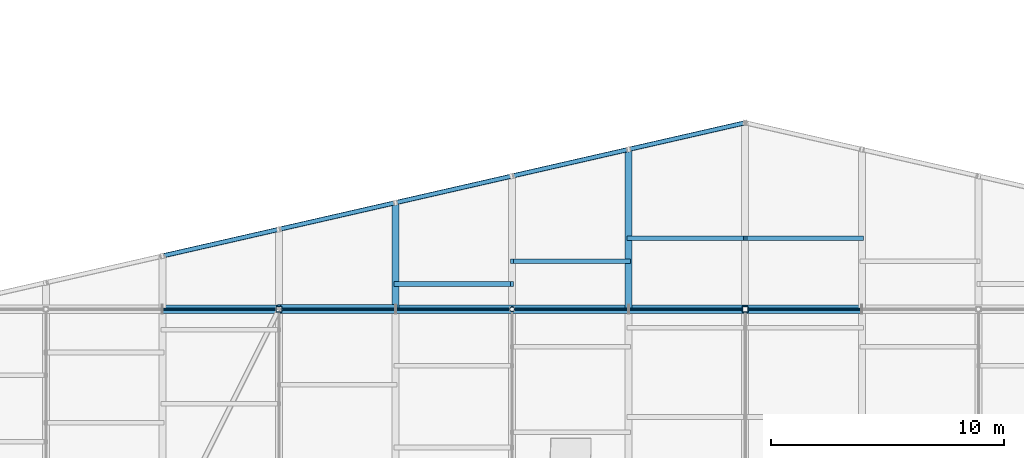
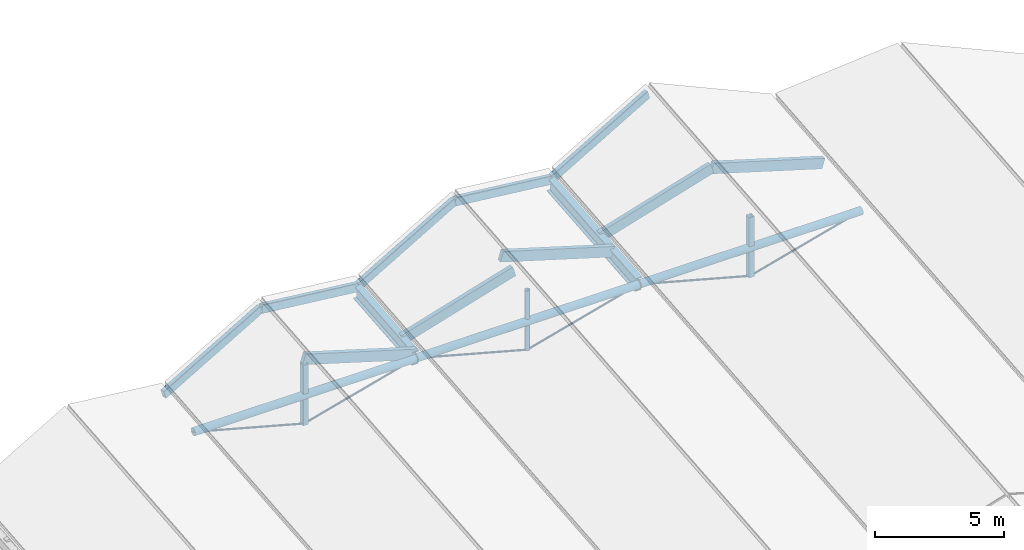
# One storey, part 51 of 90: 14 members, 10 beams.
"""IFC4 building model written with IfcOpenShell, lengths in metres."""

from ifc_helpers import new_model, si_unit, direction, frame, origin, origin_2d, place, context, subcontext, project, spatial, rectangle, hollow_rectangle, circle, hollow_circle, i_section, extrude, material, material_profile, profile_set, type_object, element, save


model = new_model("IFC4")

# Units and contexts
model_context = context("Model", 3, precision=1e-05, world=origin(), true_north=direction((0.0, 1.0)))
body_context = subcontext(model_context, "Body", "Model", "MODEL_VIEW")
ifc_project = project(units=[si_unit("LENGTHUNIT", "METRE"), si_unit("AREAUNIT", "SQUARE_METRE"), si_unit("VOLUMEUNIT", "CUBIC_METRE"), si_unit("PLANEANGLEUNIT", "RADIAN"), si_unit("MASSUNIT", "GRAM", prefix="KILO"), si_unit("THERMODYNAMICTEMPERATUREUNIT", "KELVIN"), si_unit("POWERUNIT", "WATT")], contexts=[model_context])

# Site, building, storey
site_placement = place(None, origin())
site = spatial("IfcSite", under=ifc_project, at=site_placement, CompositionType="ELEMENT")
building_placement = place(site_placement, origin())
building = spatial("IfcBuilding", under=site, at=building_placement, Name="Korenveer Ferry Terminal", CompositionType="ELEMENT")
storey_placement = place(building_placement, frame((0.0, 0.0, 22.199951171875)))
storey = spatial("IfcBuildingStorey", under=building, at=storey_placement, Name="RF", CompositionType="ELEMENT", Elevation=22.199951171875)

# Beams
ifc_material_1 = material(Name="Steel S355", Category="steel")
ifc_material_profile_1 = material_profile(ifc_material_1, i_section(OverallWidth=0.300048828125, OverallDepth=0.64990234375, WebThickness=0.01611328125, FlangeThickness=0.031005859375, FilletRadius=0.027099609375, at=origin_2d()), Name="HEB 650")
ifc_profile_set_1 = profile_set([ifc_material_profile_1], Name="Steel S355")
beam_type_1 = type_object("IfcBeamType", Name="STR-BM-HEB650", PredefinedType="BEAM", material=ifc_profile_set_1)
beam_1_placement = place(storey_placement, frame((73.0, 100.0, -4.1376953125), z_axis=(0.0, 0.995904097981, 0.090415859363), x_axis=(-1.0, 0.0, 0.0)))
element("IfcBeam", 1, at=beam_1_placement, inside=storey, type_object=beam_type_1, Name="Folded roof valley girder 32", PredefinedType="BEAM", context=body_context, shape_type="SweptSolid", body=[
    extrude(i_section(OverallWidth=0.300048828125, OverallDepth=0.64990234375, WebThickness=0.01611328125, FlangeThickness=0.031005859375, FilletRadius=0.027099609375, at=origin_2d()), origin(), (0.0, 0.0, 1.0), 4.59033203125),
])
beam_2_placement = place(storey_placement, frame((83.0, 100.0, -4.1376953125), z_axis=(0.0, 0.995903953046, 0.090417455772), x_axis=(-1.0, 0.0, 0.0)))
element("IfcBeam", 2, at=beam_2_placement, inside=storey, type_object=beam_type_1, Name="Folded roof valley girder 37", PredefinedType="BEAM", context=body_context, shape_type="SweptSolid", body=[
    extrude(i_section(OverallWidth=0.300048828125, OverallDepth=0.64990234375, WebThickness=0.01611328125, FlangeThickness=0.031005859375, FilletRadius=0.027099609375, at=origin_2d()), origin(), (0.0, 0.0, 1.0), 6.885498046875),
])

# Members
ifc_material_2 = material(Name="High-strength steel S460", Category="steel")
ifc_material_profile_2 = material_profile(ifc_material_2, circle(Radius=0.044921875, at=origin_2d()), Name="ROD D90")
ifc_profile_set_2 = profile_set([ifc_material_profile_2], Name="High-strength steel S460")
member_type_1 = type_object("IfcMemberType", Name="STR-CBL-D90", PredefinedType="USERDEFINED", material=ifc_profile_set_2)
for number, where, z_axis, x_axis, name in (
    (3, (63.0, 100.0, -4.1376953125), (0.965424337217, 0.0, -0.260683426993), (0.0, 1.0, 0.0), "Roof tension tie cable 87"),
    (4, (73.0, 100.0, -4.1376953125), (-0.965424337217, 0.0, -0.260683426993), (0.0, -1.0, 0.0), "Roof tension tie cable 88"),
    (5, (73.0, 100.0, -4.1376953125), (0.965424337217, 0.0, -0.260683426993), (0.0, 1.0, 0.0), "Roof tension tie cable 89"),
    (6, (83.0, 100.0, -4.1376953125), (-0.965424337217, 0.0, -0.260683426993), (0.0, -1.0, 0.0), "Roof tension tie cable 90"),
    (7, (83.0, 100.0, -4.1376953125), (0.965424337217, 0.0, -0.260683426993), (0.0, 1.0, 0.0), "Roof tension tie cable 91"),
    (8, (93.0, 100.0, -4.1376953125), (-0.965424337217, 0.0, -0.260683426993), (0.0, -1.0, 0.0), "Roof tension tie cable 92"),
):
    element("IfcMember", number, at=place(storey_placement, frame(where, z_axis=z_axis, x_axis=x_axis)), inside=storey, type_object=member_type_1, Name=name, ObjectType="CABLE", PredefinedType="USERDEFINED", context=body_context, shape_type="SweptSolid", body=[
        extrude(circle(Radius=0.044921875, at=origin_2d()), origin(), (0.0, 0.0, 1.0), 5.178955078125),
    ])
ifc_material_3 = material(Name="Glulam GL28h", Category="wood")
ifc_material_profile_3 = material_profile(ifc_material_3, rectangle(XDim=0.199951171875, YDim=0.47998046875, at=origin_2d()), Name="GL 200x480")
ifc_profile_set_3 = profile_set([ifc_material_profile_3], Name="Glulam GL28h")
member_type_2 = type_object("IfcMemberType", Name="STR-PUR-GL200", PredefinedType="PURLIN", material=ifc_profile_set_3)
for number, where, z_axis, x_axis, name in (
    (9, (68.0, 100.1044921875, -2.460205078125), (0.957310140112, 0.0, -0.289062788401), (0.0, 1.0, 0.0), "Folded roof glulam purlin 72"),
    (10, (73.0, 101.083984375, -3.880859375), (0.957310140112, 0.0, 0.289062788401), (0.0, 1.0, 0.0), "Folded roof glulam purlin 102"),
    (11, (78.0, 102.063720703125, -2.2822265625), (0.957310140112, 0.0, -0.289062788401), (0.0, 1.0, 0.0), "Folded roof glulam purlin 108"),
    (12, (83.0, 103.043212890625, -3.703125), (0.957310140112, 0.0, 0.289062788401), (0.0, 1.0, 0.0), "Folded roof glulam purlin 138"),
    (13, (88.0, 103.043212890625, -2.193359375), (0.957310140112, 0.0, -0.289062788401), (0.0, 1.0, 0.0), "Folded roof glulam purlin 144"),
):
    element("IfcMember", number, at=place(storey_placement, frame(where, z_axis=z_axis, x_axis=x_axis)), inside=storey, type_object=member_type_2, Name=name, PredefinedType="PURLIN", context=body_context, shape_type="SweptSolid", body=[
        extrude(rectangle(XDim=0.199951171875, YDim=0.47998046875, at=origin_2d()), origin(), (0.0, 0.0, 1.0), 5.222900390625),
    ])

# Beams
ifc_material_profile_4 = material_profile(ifc_material_1, hollow_circle(Radius=0.177734375, WallThickness=0.01611328125, at=origin_2d()), Name="CHS 355.6x16")
ifc_profile_set_4 = profile_set([ifc_material_profile_4], Name="Steel S355")
beam_type_2 = type_object("IfcBeamType", Name="STR-RFG-CHS355", PredefinedType="USERDEFINED", material=ifc_profile_set_4)
for number, where, z_axis, x_axis, name in (
    (14, (63.02001953125, 100.0, -4.1376953125), (1.0, 0.0, 0.0), (0.0, 1.0, 0.0), "Roof transverse tie girder 132"),
    (15, (73.02001953125, 100.0, -4.1376953125), (1.0, 0.0, 0.0), (0.0, 1.0, 0.0), "Roof transverse tie girder 133"),
    (16, (83.02001953125, 100.0, -4.1376953125), (1.0, 0.0, 0.0), (0.0, 1.0, 0.0), "Roof transverse tie girder 134"),
):
    element("IfcBeam", number, at=place(storey_placement, frame(where, z_axis=z_axis, x_axis=x_axis)), inside=storey, type_object=beam_type_2, Name=name, ObjectType="ROOF GIRDER", PredefinedType="USERDEFINED", context=body_context, shape_type="SweptSolid", body=[
        extrude(hollow_circle(Radius=0.177734375, WallThickness=0.01611328125, at=origin_2d()), origin(), (0.0, 0.0, 1.0), 9.9599609375),
    ])
ifc_material_profile_5 = material_profile(ifc_material_1, hollow_rectangle(XDim=0.199951171875, YDim=0.39990234375, WallThickness=0.01611328125, InnerFilletRadius=0.01611328125, OuterFilletRadius=0.02392578125, at=origin_2d()), Name="RHS 400x200x16")
ifc_profile_set_5 = profile_set([ifc_material_profile_5], Name="Steel S355")
beam_type_3 = type_object("IfcBeamType", Name="STR-SPD-RHS400", PredefinedType="SPANDREL", material=ifc_profile_set_5)
beam_3_placement = place(storey_placement, frame((63.0, 102.28564453125, -3.730224609375), z_axis=(0.92992872309, 0.212548650038, 0.300092721236), x_axis=(-0.222818339044, 0.974859983683, 0.0)))
element("IfcBeam", 17, at=beam_3_placement, inside=storey, type_object=beam_type_3, Name="Prow roof perimeter ring beam BMFSC-B1-63", PredefinedType="SPANDREL", context=body_context, shape_type="SweptSolid", body=[
    extrude(hollow_rectangle(XDim=0.199951171875, YDim=0.39990234375, WallThickness=0.01611328125, InnerFilletRadius=0.01611328125, OuterFilletRadius=0.02392578125, at=origin_2d()), origin(), (0.0, 0.0, 1.0), 5.376708984375),
])
beam_4_placement = place(storey_placement, frame((68.0, 103.428466796875, -2.11669921875), z_axis=(0.940164367825, 0.214934061043, -0.264375321987), x_axis=(-0.222863575635, 0.974849643102, 0.0)))
element("IfcBeam", 18, at=beam_4_placement, inside=storey, type_object=beam_type_3, Name="Prow roof perimeter ring beam BMFSC-B1-68", PredefinedType="SPANDREL", context=body_context, shape_type="SweptSolid", body=[
    extrude(hollow_rectangle(XDim=0.199951171875, YDim=0.39990234375, WallThickness=0.01611328125, InnerFilletRadius=0.01611328125, OuterFilletRadius=0.02392578125, at=origin_2d()), origin(), (0.0, 0.0, 1.0), 5.318115234375),
])
beam_5_placement = place(storey_placement, frame((73.0, 104.571533203125, -3.522705078125), z_axis=(0.92992872309, 0.212548650038, 0.300092721236), x_axis=(-0.222818339044, 0.974859983683, 0.0)))
element("IfcBeam", 19, at=beam_5_placement, inside=storey, type_object=beam_type_3, Name="Prow roof perimeter ring beam BMFSC-B2-73", PredefinedType="SPANDREL", context=body_context, shape_type="SweptSolid", body=[
    extrude(hollow_rectangle(XDim=0.199951171875, YDim=0.39990234375, WallThickness=0.01611328125, InnerFilletRadius=0.01611328125, OuterFilletRadius=0.02392578125, at=origin_2d()), origin(), (0.0, 0.0, 1.0), 5.376708984375),
])
beam_6_placement = place(storey_placement, frame((78.0, 105.71435546875, -1.9091796875), z_axis=(0.940173643444, 0.214890274656, -0.264377930302), x_axis=(-0.222818339044, 0.974859983683, 0.0)))
element("IfcBeam", 20, at=beam_6_placement, inside=storey, type_object=beam_type_3, Name="Prow roof perimeter ring beam BMFSC-B2-78", PredefinedType="SPANDREL", context=body_context, shape_type="SweptSolid", body=[
    extrude(hollow_rectangle(XDim=0.199951171875, YDim=0.39990234375, WallThickness=0.01611328125, InnerFilletRadius=0.01611328125, OuterFilletRadius=0.02392578125, at=origin_2d()), origin(), (0.0, 0.0, 1.0), 5.318115234375),
])
beam_7_placement = place(storey_placement, frame((83.0, 106.857177734375, -3.315185546875), z_axis=(0.92992872309, 0.212548650038, 0.300092721236), x_axis=(-0.222818339044, 0.974859983683, 0.0)))
element("IfcBeam", 21, at=beam_7_placement, inside=storey, type_object=beam_type_3, Name="Prow roof perimeter ring beam BMFSC-B3-83", PredefinedType="SPANDREL", context=body_context, shape_type="SweptSolid", body=[
    extrude(hollow_rectangle(XDim=0.199951171875, YDim=0.39990234375, WallThickness=0.01611328125, InnerFilletRadius=0.01611328125, OuterFilletRadius=0.02392578125, at=origin_2d()), origin(), (0.0, 0.0, 1.0), 5.376708984375),
])

# Members
ifc_material_profile_6 = material_profile(ifc_material_1, hollow_circle(Radius=0.109619140625, WallThickness=0.012451171875, at=origin_2d()), Name="CHS 219.1x12.5")
ifc_profile_set_6 = profile_set([ifc_material_profile_6], Name="Steel S355")
member_type_3 = type_object("IfcMemberType", Name="STR-STT-CHS219", PredefinedType="STRUT", material=ifc_profile_set_6)
member_placement = place(storey_placement, frame((78.0, 100.0, -5.48779296875), z_axis=(0.0, 0.0, 1.0), x_axis=(1.0, 0.0, 0.0)))
element("IfcMember", 22, at=member_placement, inside=storey, type_object=member_type_3, Name="Roof king-post strut STTKP-Y100-B2", PredefinedType="STRUT", context=body_context, shape_type="SweptSolid", body=[
    extrude(hollow_circle(Radius=0.109619140625, WallThickness=0.012451171875, at=origin_2d()), origin(), (0.0, 0.0, 1.0), 2.85986328125),
])
ifc_material_profile_7 = material_profile(ifc_material_1, hollow_rectangle(XDim=0.25, YDim=0.25, WallThickness=0.012451171875, InnerFilletRadius=0.012451171875, OuterFilletRadius=0.018798828125, at=origin_2d()), Name="SHS 250x250x12.5")
ifc_profile_set_7 = profile_set([ifc_material_profile_7], Name="Steel S355")
member_type_4 = type_object("IfcMemberType", Name="STR-STT-SHS250", PredefinedType="STRUT", material=ifc_profile_set_7)
for number, where, z_axis, x_axis, name in (
    (23, (68.0, 100.0, -5.48779296875), (0.0, 0.0, 1.0), (1.0, 0.0, 0.0), "Roof king-post strut STTKP-Y100-B1"),
    (24, (88.0, 100.0, -5.48779296875), (0.0, 0.0, 1.0), (1.0, 0.0, 0.0), "Roof king-post strut STTKP-Y100-B3"),
):
    element("IfcMember", number, at=place(storey_placement, frame(where, z_axis=z_axis, x_axis=x_axis)), inside=storey, type_object=member_type_4, Name=name, PredefinedType="STRUT", context=body_context, shape_type="SweptSolid", body=[
        extrude(hollow_rectangle(XDim=0.25, YDim=0.25, WallThickness=0.012451171875, InnerFilletRadius=0.012451171875, OuterFilletRadius=0.018798828125, at=origin_2d()), origin(), (0.0, 0.0, 1.0), 2.85986328125),
    ])

save(model, "model.ifc")
